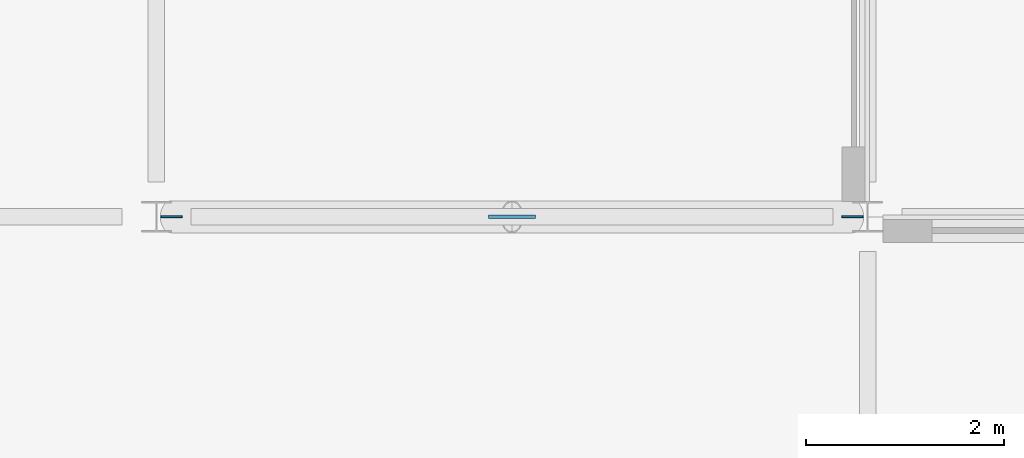
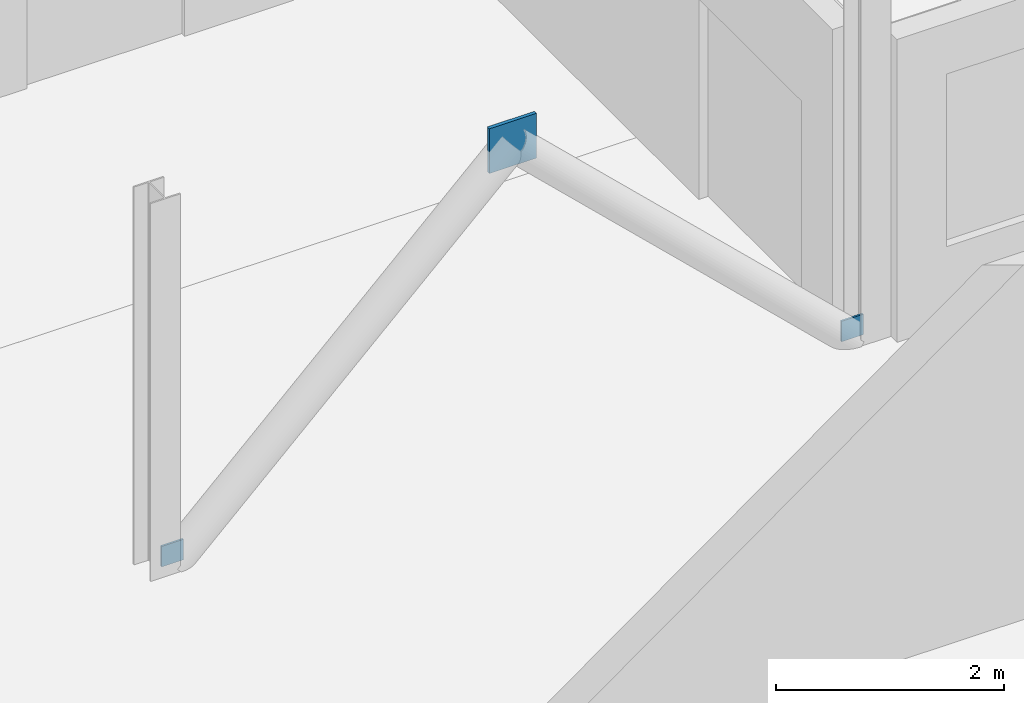
# One storey, part 11 of 18: 3 plates.
"""IFC4 building model written with IfcOpenShell, lengths in metres."""

from ifc_helpers import new_model, si_unit, direction, frame, origin, origin_2d, place, context, subcontext, project, spatial, rectangle, extrude, material, layer, layer_set, type_object, element, save


model = new_model("IFC4")

# Units and contexts
model_context = context("Model", 3, precision=1e-05, world=origin(), true_north=direction((0.0, 1.0)))
body_context = subcontext(model_context, "Body", "Model", "MODEL_VIEW")
ifc_project = project(units=[si_unit("LENGTHUNIT", "METRE"), si_unit("AREAUNIT", "SQUARE_METRE"), si_unit("VOLUMEUNIT", "CUBIC_METRE"), si_unit("PLANEANGLEUNIT", "RADIAN"), si_unit("MASSUNIT", "GRAM", prefix="KILO")], contexts=[model_context])

# Site, building, storey
site_placement = place(None, origin())
site = spatial("IfcSite", under=ifc_project, at=site_placement, CompositionType="ELEMENT")
building_placement = place(site_placement, origin())
building = spatial("IfcBuilding", under=site, at=building_placement, Name="Kalmorath City Hall", CompositionType="ELEMENT")
storey_placement = place(building_placement, frame((0.0, 0.0, 27.0)))
storey = spatial("IfcBuildingStorey", under=building, at=storey_placement, Name="L06", CompositionType="ELEMENT", Elevation=27.0)

# Plates
ifc_material_1 = material(Name="Steel ASTM A572 Grade 50", Category="steel")
ifc_layer_1 = layer(ifc_material_1, 0.02001953125)
ifc_layer_set_1 = layer_set([ifc_layer_1], Name="Steel ASTM A572 Grade 50")
plate_type_1 = type_object("IfcPlateType", Name="Steel HSS end-cap plate 220x220x20", PredefinedType="SHEET", material=ifc_layer_set_1)
for number, where, z_axis, x_axis, name in (
    (1, (14.552490234375, 28.800048828125, 0.0), (0.0, 0.0, 1.0), (1.0, 0.0, 0.0), "L06 brace foot end-plate GP5-8L"),
    (2, (21.447509765625, 28.800048828125, 0.0), (0.0, 0.0, 1.0), (1.0, 0.0, 0.0), "L06 brace foot end-plate GP5-8R"),
):
    element("IfcPlate", number, at=place(storey_placement, frame(where, z_axis=z_axis, x_axis=x_axis)), inside=storey, type_object=plate_type_1, Name=name, PredefinedType="SHEET", context=body_context, shape_type="SweptSolid", body=[
        extrude(rectangle(XDim=0.219970703125, YDim=0.02001953125, at=origin_2d()), origin(), (0.0, 0.0, 1.0), 0.219970703125),
    ])
ifc_material_2 = material(Name="Steel ASTM A572 Grade 50", Category="steel")
ifc_layer_2 = layer(ifc_material_2, 0.035888671875)
ifc_layer_set_2 = layer_set([ifc_layer_2], Name="Steel ASTM A572 Grade 50")
plate_type_2 = type_object("IfcPlateType", Name="Steel column splice plate 480x480x36", PredefinedType="USERDEFINED", material=ifc_layer_set_2)
plate_placement = place(storey_placement, frame((18.0, 28.800048828125, 3.06005859375), z_axis=(0.0, 0.0, 1.0), x_axis=(1.0, 0.0, 0.0)))
element("IfcPlate", 3, at=plate_placement, inside=storey, type_object=plate_type_2, Name="L06 brace gusset plate GP6-8", ObjectType="GUSSET PLATE", PredefinedType="USERDEFINED", context=body_context, shape_type="SweptSolid", body=[
    extrude(rectangle(XDim=0.47998046875, YDim=0.035888671875, at=origin_2d()), origin(), (0.0, 0.0, 1.0), 0.47998046875),
])

save(model, "model.ifc")
